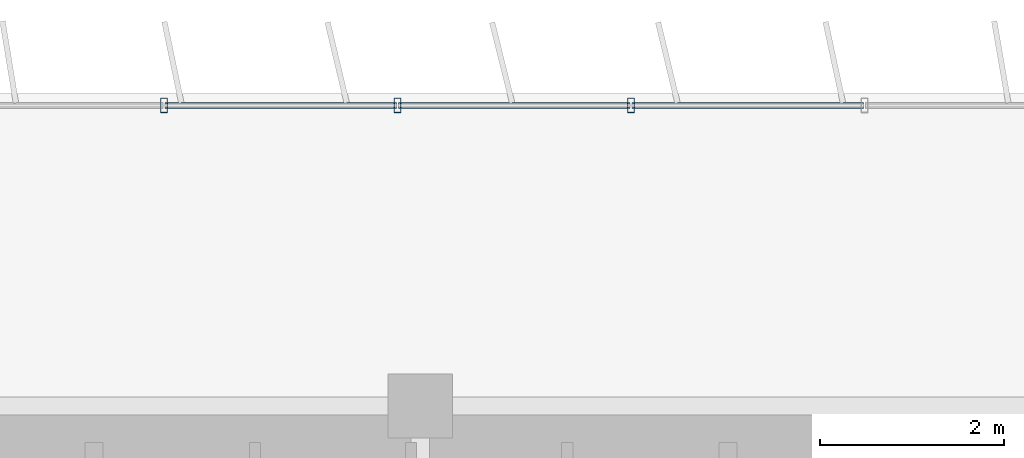
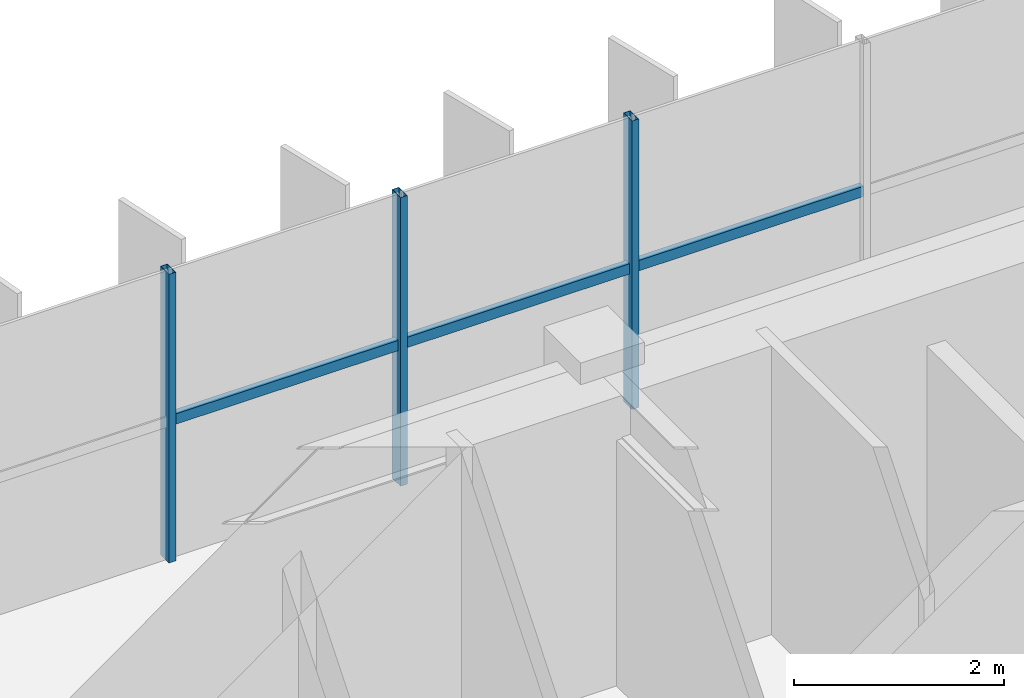
# One storey, part 9 of 21: 6 members, 1 element without a shape of its own.
"""IFC4 building model written with IfcOpenShell, lengths in metres."""

from ifc_helpers import new_model, si_unit, direction, frame, origin, origin_2d, place, context, subcontext, project, spatial, hollow_rectangle, extrude, source, transform, mapped, material, material_profile, profile_set, type_object, element, aggregate, save


model = new_model("IFC4")

# Units and contexts
model_context = context("Model", 3, precision=1e-05, world=origin(), true_north=direction((0.0, 1.0)))
body_context = subcontext(model_context, "Body", "Model", "MODEL_VIEW")
ifc_project = project(units=[si_unit("LENGTHUNIT", "METRE"), si_unit("AREAUNIT", "SQUARE_METRE"), si_unit("VOLUMEUNIT", "CUBIC_METRE"), si_unit("PLANEANGLEUNIT", "RADIAN"), si_unit("MASSUNIT", "GRAM", prefix="KILO")], contexts=[model_context])

# Site, building, storey
site_placement = place(None, origin())
site = spatial("IfcSite", under=ifc_project, at=site_placement, CompositionType="ELEMENT")
building_placement = place(site_placement, origin())
building = spatial("IfcBuilding", under=site, at=building_placement, Name="Trelvane Seafront Commons", CompositionType="ELEMENT")
storey_placement = place(building_placement, frame((0.0, 0.0, 135.699951171875)))
storey = spatial("IfcBuildingStorey", under=building, at=storey_placement, Name="L35", CompositionType="ELEMENT", Elevation=135.699951171875)

# Curtain wall, members
ifc_material = material(Name="Anodised pale-silver aluminium", Category="aluminium")
curtain_wall_type = type_object("IfcCurtainWallType", Name="ARCH-CW5-UPTOWER", PredefinedType="NOTDEFINED", material=ifc_material)
curtain_wall_placement = place(storey_placement, origin())
curtain_wall = element("IfcCurtainWall", 1, at=curtain_wall_placement, inside=storey, type_object=curtain_wall_type, Name="CW-L35-0062", PredefinedType="NOTDEFINED")
ifc_material_profile_1 = material_profile(ifc_material, hollow_rectangle(XDim=0.070068359375, YDim=0.1201171875, WallThickness=0.00390625, at=origin_2d()), Name="TRAN-70x120x4")
ifc_profile_set_1 = profile_set([ifc_material_profile_1], Name="Anodised pale-silver aluminium")
member_type_1 = type_object("IfcMemberType", Name="ARCH-CW-TRAN-120", PredefinedType="USERDEFINED", material=ifc_profile_set_1)
shared_shape_1 = source(origin(), body_context, "Body", "SweptSolid", [
    extrude(hollow_rectangle(XDim=0.070068359375, YDim=0.1201171875, WallThickness=0.00390625, at=origin_2d()), origin(), (0.0, 0.0, 1.0), 2.51708984375),
])
member_1_placement = place(storey_placement, frame((43.56494140625, 48.3701171875, 1.608154296875), z_axis=(1.0, 0.0, 0.0), x_axis=(0.0, 1.0, 0.0)))
member_1 = element("IfcMember", 2, at=member_1_placement, type_object=member_type_1, Name="CW-L35-0062-T11", ObjectType="TRANSOM", PredefinedType="USERDEFINED", context=body_context, shape_type="MappedRepresentation", body=[
    mapped(shared_shape_1, transform((0.0, 0.0, 0.0), x_axis=(1.0, 0.0, 0.0), y_axis=(0.0, 1.0, 0.0), z_axis=(0.0, 0.0, 1.0), scale=1.0)),
])
member_2_placement = place(storey_placement, frame((46.106201171875, 48.3701171875, 1.608154296875), z_axis=(1.0, 0.0, 0.0), x_axis=(0.0, 1.0, 0.0)))
member_2 = element("IfcMember", 3, at=member_2_placement, type_object=member_type_1, Name="CW-L35-0062-T12", ObjectType="TRANSOM", PredefinedType="USERDEFINED", context=body_context, shape_type="MappedRepresentation", body=[
    mapped(shared_shape_1, transform((0.0, 0.0, 0.0), x_axis=(1.0, 0.0, 0.0), y_axis=(0.0, 1.0, 0.0), z_axis=(0.0, 0.0, 1.0), scale=1.0)),
])
shared_shape_2 = source(origin(), body_context, "Body", "SweptSolid", [
    extrude(hollow_rectangle(XDim=0.070068359375, YDim=0.1201171875, WallThickness=0.00390625, at=origin_2d()), origin(), (0.0, 0.0, 1.0), 2.517333984375),
])
member_3_placement = place(storey_placement, frame((41.023681640625, 48.3701171875, 1.608154296875), z_axis=(1.0, 0.0, 0.0), x_axis=(0.0, 1.0, 0.0)))
member_3 = element("IfcMember", 4, at=member_3_placement, type_object=member_type_1, Name="CW-L35-0062-T10", ObjectType="TRANSOM", PredefinedType="USERDEFINED", context=body_context, shape_type="MappedRepresentation", body=[
    mapped(shared_shape_2, transform((0.0, 0.0, 0.0), x_axis=(1.0, 0.0, 0.0), y_axis=(0.0, 1.0, 0.0), z_axis=(0.0, 0.0, 1.0), scale=1.0)),
])
ifc_material_profile_2 = material_profile(ifc_material, hollow_rectangle(XDim=0.074951171875, YDim=0.159912109375, WallThickness=0.00390625, at=origin_2d()), Name="MULL-75x160x4")
ifc_profile_set_2 = profile_set([ifc_material_profile_2], Name="Anodised pale-silver aluminium")
member_type_2 = type_object("IfcMemberType", Name="ARCH-CW-MULL-160", PredefinedType="MULLION", material=ifc_profile_set_2)
shared_shape_3 = source(origin(), body_context, "Body", "SweptSolid", [
    extrude(hollow_rectangle(XDim=0.074951171875, YDim=0.159912109375, WallThickness=0.00390625, at=origin_2d()), origin(), (0.0, 0.0, 1.0), 3.35009765625),
])
member_4_placement = place(storey_placement, frame((41.01171875, 48.3701171875, 0.0), z_axis=(0.0, 0.0, 1.0), x_axis=(1.0, 0.0, 0.0)))
member_4 = element("IfcMember", 5, at=member_4_placement, type_object=member_type_2, Name="CW-L35-0062-M10", PredefinedType="MULLION", context=body_context, shape_type="MappedRepresentation", body=[
    mapped(shared_shape_3, transform((0.0, 0.0, 0.0), x_axis=(1.0, 0.0, 0.0), y_axis=(0.0, 1.0, 0.0), z_axis=(0.0, 0.0, 1.0), scale=1.0)),
])
member_5_placement = place(storey_placement, frame((43.552978515625, 48.3701171875, 0.0), z_axis=(0.0, 0.0, 1.0), x_axis=(1.0, 0.0, 0.0)))
member_5 = element("IfcMember", 6, at=member_5_placement, type_object=member_type_2, Name="CW-L35-0062-M11", PredefinedType="MULLION", context=body_context, shape_type="MappedRepresentation", body=[
    mapped(shared_shape_3, transform((0.0, 0.0, 0.0), x_axis=(1.0, 0.0, 0.0), y_axis=(0.0, 1.0, 0.0), z_axis=(0.0, 0.0, 1.0), scale=1.0)),
])
member_6_placement = place(storey_placement, frame((46.093994140625, 48.3701171875, 0.0), z_axis=(0.0, 0.0, 1.0), x_axis=(1.0, 0.0, 0.0)))
member_6 = element("IfcMember", 7, at=member_6_placement, type_object=member_type_2, Name="CW-L35-0062-M12", PredefinedType="MULLION", context=body_context, shape_type="MappedRepresentation", body=[
    mapped(shared_shape_3, transform((0.0, 0.0, 0.0), x_axis=(1.0, 0.0, 0.0), y_axis=(0.0, 1.0, 0.0), z_axis=(0.0, 0.0, 1.0), scale=1.0)),
])
aggregate(curtain_wall, [member_4, member_5, member_6, member_3, member_1, member_2])

save(model, "model.ifc")
